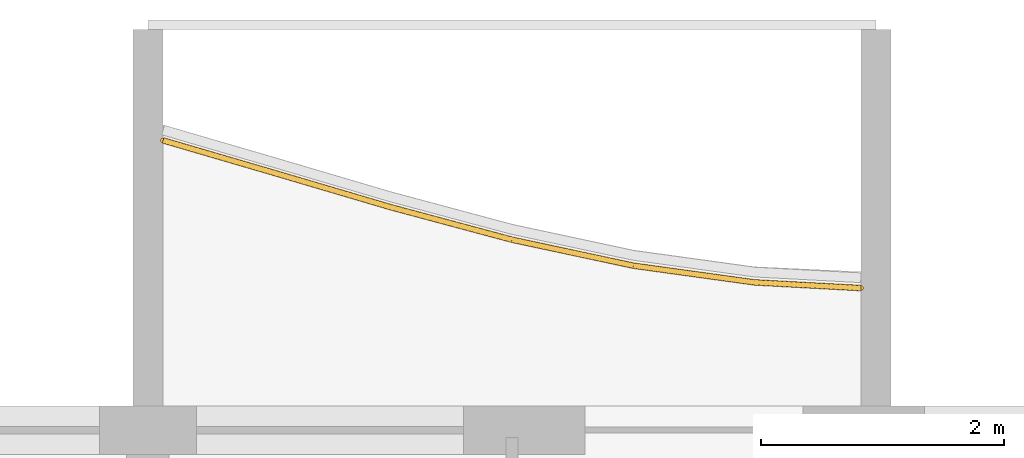
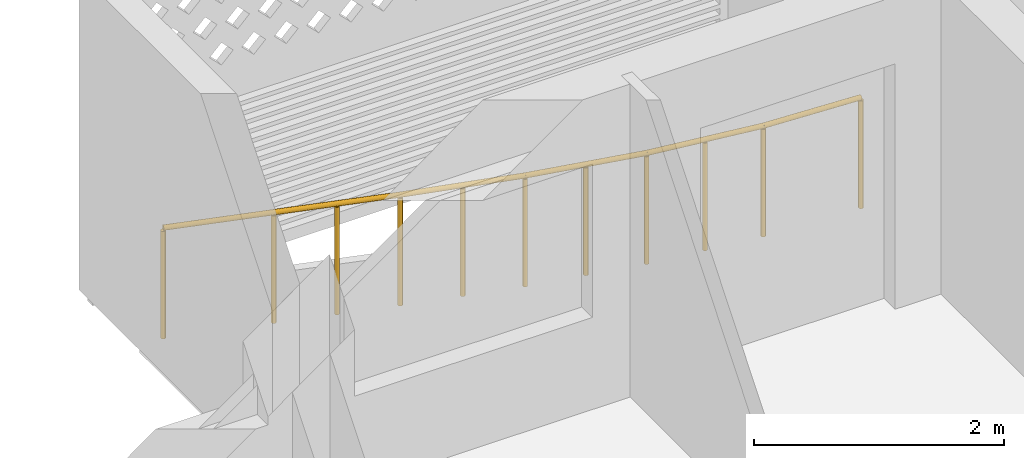
# One storey, part 28 of 31: 1 railing.
"""IFC4 building model written with IfcOpenShell, lengths in metres."""

from ifc_helpers import new_model, si_unit, direction, frame, origin, origin_2d, place, context, subcontext, project, spatial, circle, extrude, material, type_object, element, save


model = new_model("IFC4")

# Units and contexts
model_context = context("Model", 3, precision=1e-05, world=origin(), true_north=direction((0.0, 1.0)))
body_context = subcontext(model_context, "Body", "Model", "MODEL_VIEW")
ifc_project = project(units=[si_unit("LENGTHUNIT", "METRE"), si_unit("AREAUNIT", "SQUARE_METRE"), si_unit("VOLUMEUNIT", "CUBIC_METRE"), si_unit("PLANEANGLEUNIT", "RADIAN"), si_unit("MASSUNIT", "GRAM", prefix="KILO")], contexts=[model_context])

# Site, building, storey
site_placement = place(None, origin())
site = spatial("IfcSite", under=ifc_project, at=site_placement, CompositionType="ELEMENT")
building_placement = place(site_placement, origin())
building = spatial("IfcBuilding", under=site, at=building_placement, Name="Poui Terraces", CompositionType="ELEMENT")
storey_placement = place(building_placement, frame((0.0, 0.0, 82.800048828125)))
storey = spatial("IfcBuildingStorey", under=building, at=storey_placement, Name="L22", CompositionType="ELEMENT", Elevation=82.800048828125)

# Railing
ifc_material = material(Name="Painted steel fretwork", Category="steel")
railing_type = type_object("IfcRailingType", Name="BALCONY GUARD 1100", PredefinedType="GUARDRAIL", material=ifc_material)
railing_placement = place(storey_placement, frame((72.125, 45.98779296875, 0.0)))
element("IfcRailing", 1, at=railing_placement, inside=storey, type_object=railing_type, Name="BALCONY GUARD", PredefinedType="GUARDRAIL", context=body_context, shape_type="SweptSolid", body=[
    extrude(circle(Radius=0.02392578125, at=origin_2d()), frame((0.0, 0.0, 1.076171875), z_axis=(0.959879926868, -0.280411351404, 0.0), x_axis=(0.280411351404, 0.959879926868, 0.0)), (0.0, 0.0, 1.0), 0.91162109375),
    extrude(circle(Radius=0.02392578125, at=origin_2d()), frame((0.875, -0.255615234375, 1.076171875), z_axis=(0.959219941058, -0.282660758998, 0.0), x_axis=(0.282660758998, 0.959219941058, 0.0)), (0.0, 0.0, 1.0), 1.04248046875),
    extrude(circle(Radius=0.02392578125, at=origin_2d()), frame((1.875, -0.55029296875, 1.076171875), z_axis=(0.965897516379, -0.258924676022, 0.0), x_axis=(0.258924676022, 0.965897516379, 0.0)), (0.0, 0.0, 1.0), 1.035400390625),
    extrude(circle(Radius=0.02392578125, at=origin_2d()), frame((2.875, -0.818359375, 1.076171875), z_axis=(0.977886186539, -0.20913776841, 0.0), x_axis=(0.20913776841, 0.977886186539, 0.0)), (0.0, 0.0, 1.0), 1.022705078125),
    extrude(circle(Radius=0.02392578125, at=origin_2d()), frame((3.875, -1.0322265625, 1.076171875), z_axis=(0.990620000385, -0.136645581108, 0.0), x_axis=(0.136645581108, 0.990620000385, 0.0)), (0.0, 0.0, 1.0), 1.009521484375),
    extrude(circle(Radius=0.02392578125, at=origin_2d()), frame((4.875, -1.170166015625, 1.076171875), z_axis=(0.99856813227, -0.053494721372, 0.0), x_axis=(0.053494721372, 0.99856813227, 0.0)), (0.0, 0.0, 1.0), 0.876220703125),
    extrude(circle(Radius=0.02099609375, at=origin_2d()), origin(), (0.0, 0.0, 1.0), 1.052001953125),
    extrude(circle(Radius=0.02099609375, at=origin_2d()), frame((0.875, -0.255615234375, 0.0)), (0.0, 0.0, 1.0), 1.052001953125),
    extrude(circle(Radius=0.02099609375, at=origin_2d()), frame((1.375, -0.40283203125, 0.0)), (0.0, 0.0, 1.0), 1.052001953125),
    extrude(circle(Radius=0.02099609375, at=origin_2d()), frame((1.875, -0.55029296875, 0.0)), (0.0, 0.0, 1.0), 1.052001953125),
    extrude(circle(Radius=0.02099609375, at=origin_2d()), frame((2.375, -0.684326171875, 0.0)), (0.0, 0.0, 1.0), 1.052001953125),
    extrude(circle(Radius=0.02099609375, at=origin_2d()), frame((2.875, -0.818359375, 0.0)), (0.0, 0.0, 1.0), 1.052001953125),
    extrude(circle(Radius=0.02099609375, at=origin_2d()), frame((3.375, -0.92529296875, 0.0)), (0.0, 0.0, 1.0), 1.052001953125),
    extrude(circle(Radius=0.02099609375, at=origin_2d()), frame((3.875, -1.0322265625, 0.0)), (0.0, 0.0, 1.0), 1.052001953125),
    extrude(circle(Radius=0.02099609375, at=origin_2d()), frame((4.375, -1.10107421875, 0.0)), (0.0, 0.0, 1.0), 1.052001953125),
    extrude(circle(Radius=0.02099609375, at=origin_2d()), frame((4.875, -1.170166015625, 0.0)), (0.0, 0.0, 1.0), 1.052001953125),
    extrude(circle(Radius=0.02099609375, at=origin_2d()), frame((5.75, -1.217041015625, 0.0)), (0.0, 0.0, 1.0), 1.052001953125),
])

save(model, "model.ifc")
